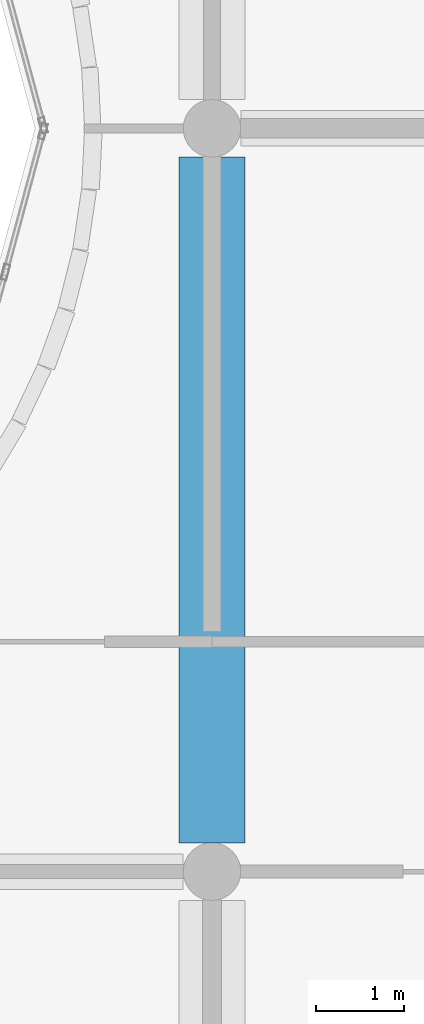
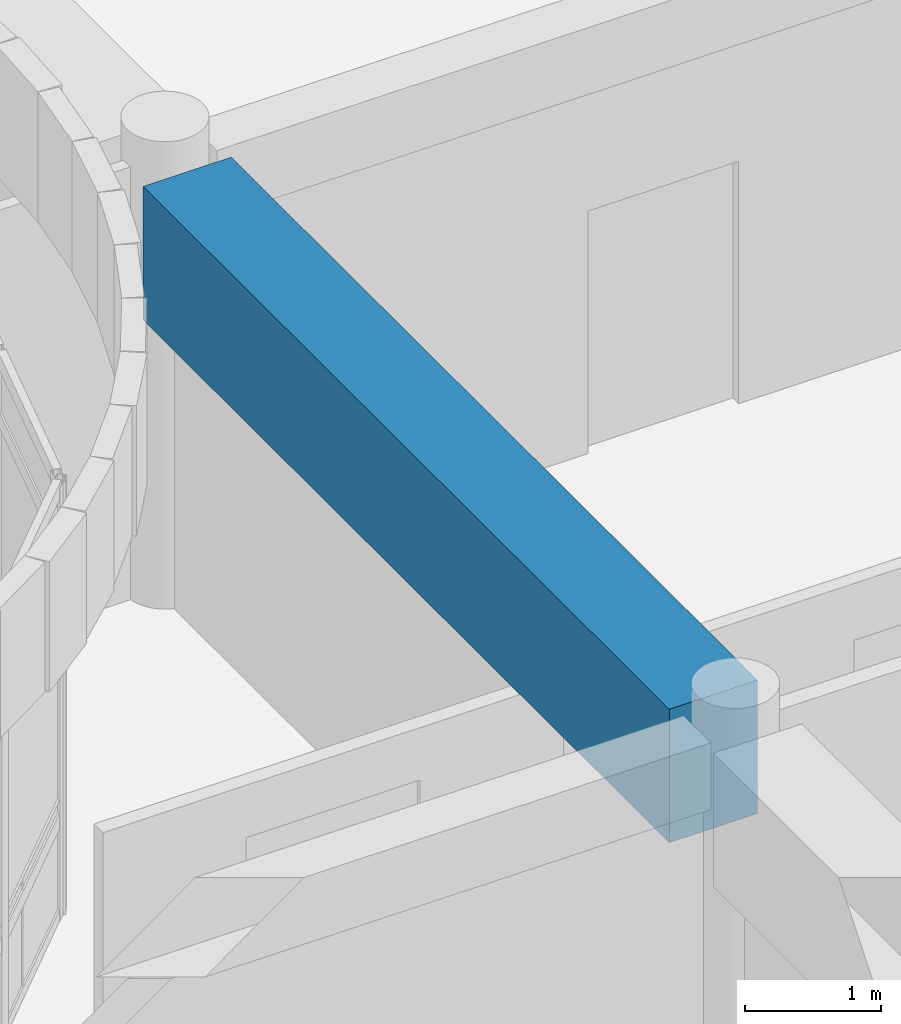
# One storey, part 16 of 119: 1 beam.
"""IFC4 building model written with IfcOpenShell, lengths in metres."""

from ifc_helpers import new_model, si_unit, direction, frame, origin, origin_2d, place, context, subcontext, project, spatial, rectangle, extrude, material, material_profile, profile_set, type_object, element, save


model = new_model("IFC4")

# Units and contexts
model_context = context("Model", 3, precision=1e-05, world=origin(), true_north=direction((0.0, 1.0)))
body_context = subcontext(model_context, "Body", "Model", "MODEL_VIEW")
ifc_project = project(units=[si_unit("LENGTHUNIT", "METRE"), si_unit("AREAUNIT", "SQUARE_METRE"), si_unit("VOLUMEUNIT", "CUBIC_METRE"), si_unit("PLANEANGLEUNIT", "RADIAN"), si_unit("MASSUNIT", "GRAM", prefix="KILO")], contexts=[model_context])

# Site, building, storey
site_placement = place(None, origin())
site = spatial("IfcSite", under=ifc_project, at=site_placement, CompositionType="ELEMENT")
building_placement = place(site_placement, origin())
building = spatial("IfcBuilding", under=site, at=building_placement, Name="Bramfleet General Hospital", CompositionType="ELEMENT")
storey_placement = place(building_placement, frame((0.0, 0.0, 14.39990234375)))
storey = spatial("IfcBuildingStorey", under=building, at=storey_placement, Name="L03", CompositionType="ELEMENT", Elevation=14.39990234375)

# Beam
ifc_material = material(Name="Concrete C40/50", Category="concrete")
ifc_material_profile = material_profile(ifc_material, rectangle(XDim=0.75, YDim=1.199951171875, at=origin_2d()), Name="RC TG 1200x750")
ifc_profile_set = profile_set([ifc_material_profile], Name="Concrete C40/50")
beam_type = type_object("IfcBeamType", Name="BM-TG1200", PredefinedType="BEAM", material=ifc_profile_set)
beam_placement = place(storey_placement, frame((126.0, 59.125, 3.300048828125), z_axis=(0.0, 1.0, 0.0), x_axis=(-1.0, 0.0, 0.0)))
element("IfcBeam", 1, at=beam_placement, inside=storey, type_object=beam_type, Name="L03 Transfer Girder Y 15-07", PredefinedType="BEAM", context=body_context, shape_type="SweptSolid", body=[
    extrude(rectangle(XDim=0.75, YDim=1.199951171875, at=origin_2d()), origin(), (0.0, 0.0, 1.0), 7.75),
])

save(model, "model.ifc")
